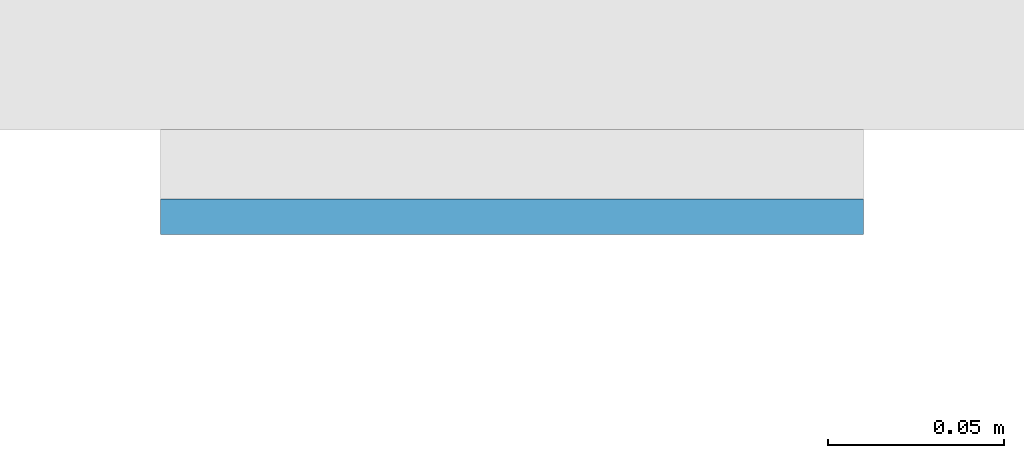
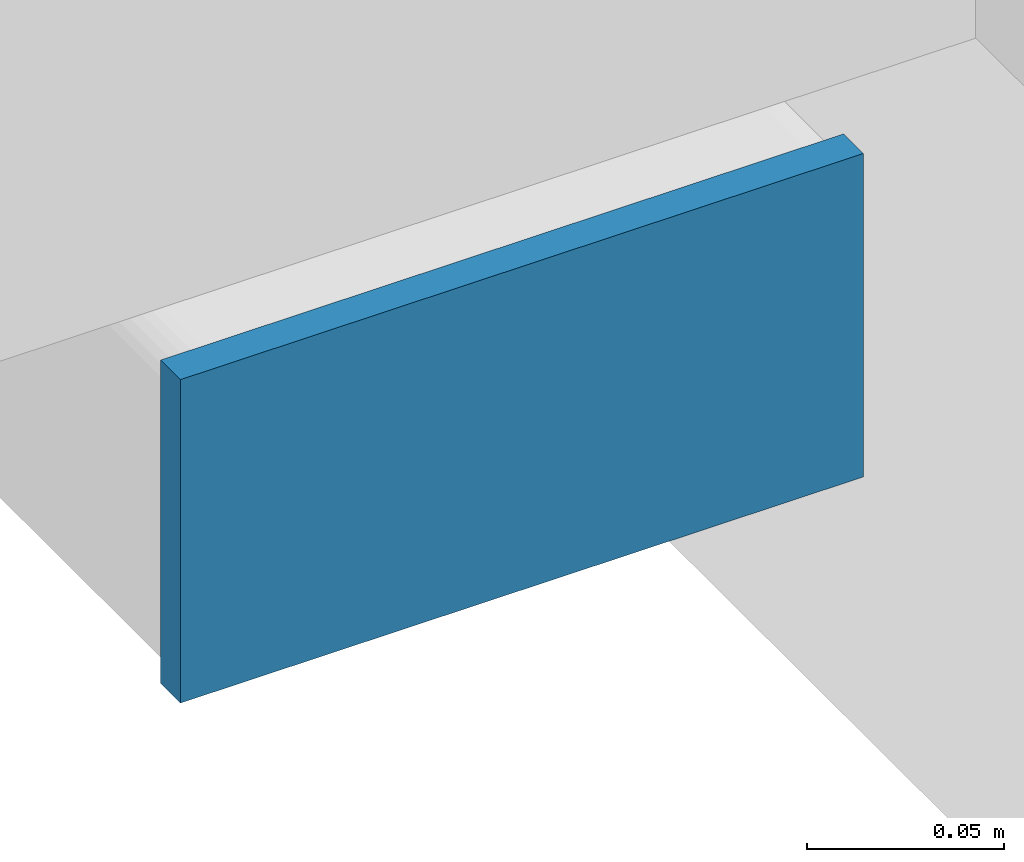
# One storey, part 8 of 20: 1 plate.
"""IFC4 building model written with IfcOpenShell, lengths in metres."""

from ifc_helpers import new_model, si_unit, direction, frame, origin, origin_2d, place, context, subcontext, project, spatial, rectangle, extrude, material, layer, layer_set, type_object, element, save


model = new_model("IFC4")

# Units and contexts
model_context = context("Model", 3, precision=1e-05, world=origin(), true_north=direction((0.0, 1.0)))
body_context = subcontext(model_context, "Body", "Model", "MODEL_VIEW")
ifc_project = project(units=[si_unit("LENGTHUNIT", "METRE"), si_unit("AREAUNIT", "SQUARE_METRE"), si_unit("VOLUMEUNIT", "CUBIC_METRE"), si_unit("PLANEANGLEUNIT", "RADIAN"), si_unit("MASSUNIT", "GRAM", prefix="KILO")], contexts=[model_context])

# Site, building, storey
site_placement = place(None, origin())
site = spatial("IfcSite", under=ifc_project, at=site_placement, CompositionType="ELEMENT")
building_placement = place(site_placement, origin())
building = spatial("IfcBuilding", under=site, at=building_placement, Name="Cleftline Residences", CompositionType="ELEMENT")
storey_placement = place(building_placement, frame((0.0, 0.0, 107.0)))
storey = spatial("IfcBuildingStorey", under=building, at=storey_placement, Name="L27", CompositionType="ELEMENT", Elevation=107.0)

# Plate
ifc_material = material(Name="Steel S355, hot-dip galvanised", Category="steel")
ifc_layer = layer(ifc_material, 0.010009765625)
ifc_layer_set = layer_set([ifc_layer], Name="BAGUETTE CARRIER END PLATE 200X100X10")
plate_type = type_object("IfcPlateType", Name="BAGUETTE CARRIER END PLATE 200X100X10", PredefinedType="USERDEFINED", material=ifc_layer_set)
plate_placement = place(storey_placement, frame((-0.85009765625, 3.695068359375, -0.10009765625), z_axis=(0.0, 0.0, 1.0), x_axis=(-1.0, 0.0, 0.0)))
element("IfcPlate", 1, at=plate_placement, inside=storey, type_object=plate_type, Name="Baguette carrier end plate", ObjectType="BAGUETTE CARRIER END PLATE", PredefinedType="USERDEFINED", context=body_context, shape_type="SweptSolid", body=[
    extrude(rectangle(XDim=0.199951171875, YDim=0.010009765625, at=origin_2d()), origin(), (0.0, 0.0, 1.0), 0.10009765625),
])

save(model, "model.ifc")
